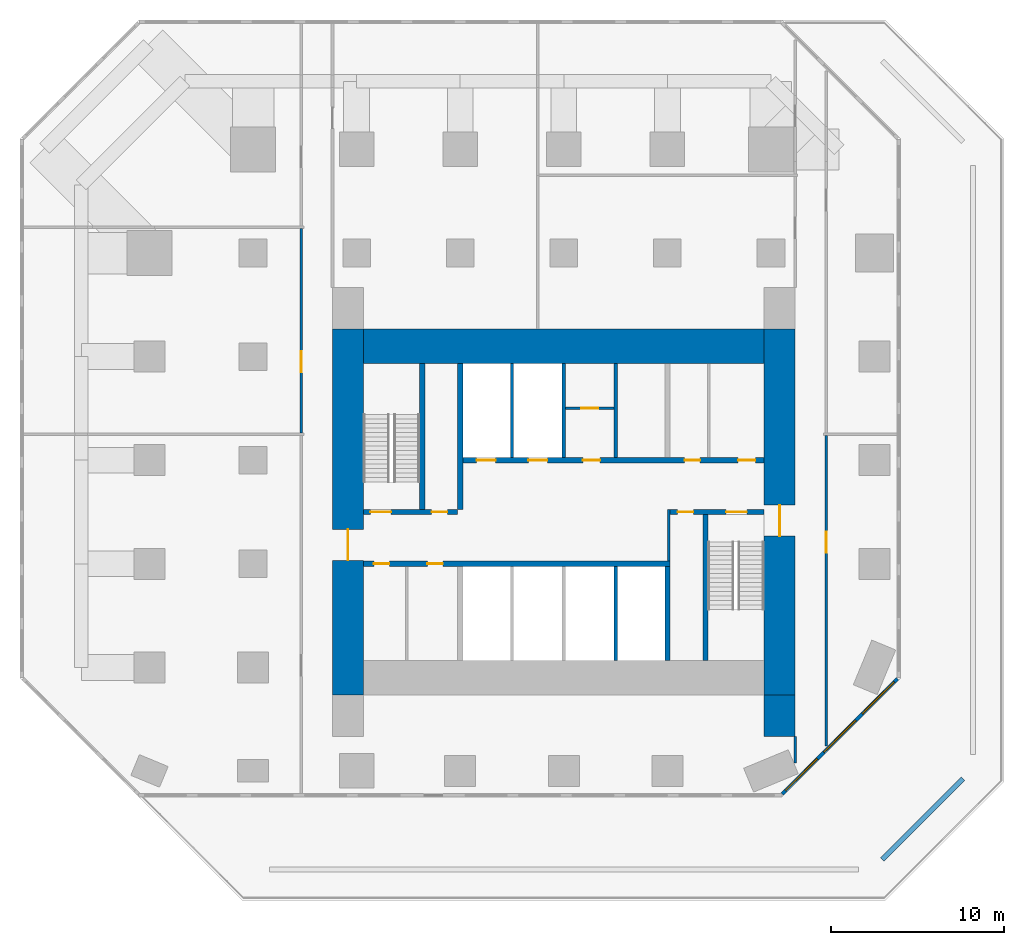
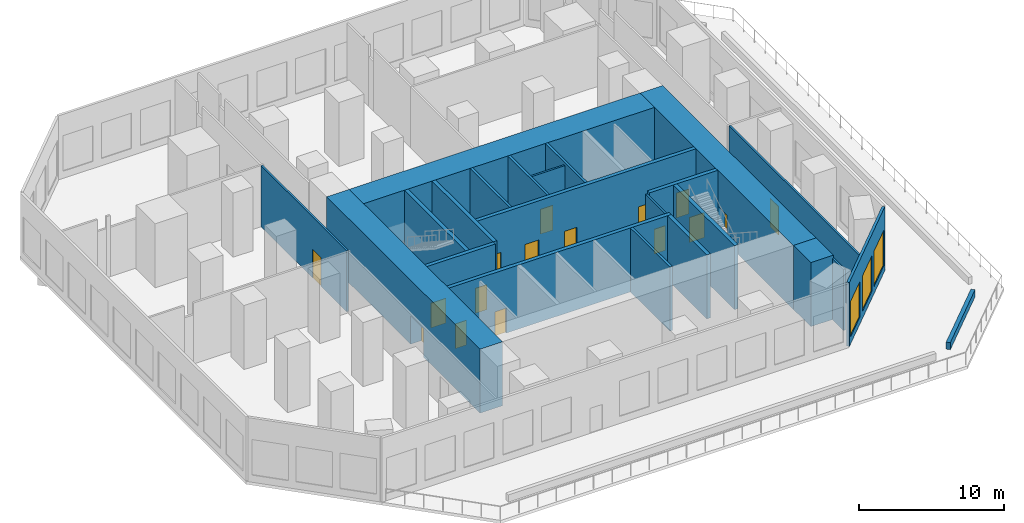
# One storey, part 3 of 7: 23 walls, 16 doors, 3 windows, 19 openings.
"""IFC4 building model written with IfcOpenShell, lengths in metres."""

from ifc_helpers import new_model, si_unit, direction, frame, frame_2d, origin, place, context, subcontext, project, spatial, rectangle, extrude, material, layer, layer_set, type_object, element, fill, save


model = new_model("IFC4")

# Units and contexts
model_context = context("Model", 3, precision=1e-05, world=origin(), true_north=direction((0.0, 1.0)))
body_context = subcontext(model_context, "Body", "Model", "MODEL_VIEW")
ifc_project = project(units=[si_unit("LENGTHUNIT", "METRE"), si_unit("AREAUNIT", "SQUARE_METRE"), si_unit("VOLUMEUNIT", "CUBIC_METRE"), si_unit("PLANEANGLEUNIT", "RADIAN"), si_unit("MASSUNIT", "GRAM", prefix="KILO")], contexts=[model_context])

# Site, building, storey
site_placement = place(None, origin())
site = spatial("IfcSite", under=ifc_project, at=site_placement, CompositionType="ELEMENT")
building_placement = place(site_placement, origin())
building = spatial("IfcBuilding", under=site, at=building_placement, Name="Highveld Stack Headquarters", CompositionType="ELEMENT")
storey_placement = place(building_placement, frame((0.0, 0.0, 88.39990234375)))
storey = spatial("IfcBuildingStorey", under=building, at=storey_placement, Name="L21", CompositionType="ELEMENT", Elevation=88.39990234375)

# Wall, opening, door
ifc_material_1 = material(Name="Concrete C60/75", Category="concrete")
ifc_layer_1 = layer(ifc_material_1, 1.800048828125)
ifc_layer_set_1 = layer_set([ifc_layer_1], Name="Concrete C60/75")
wall_type_1 = type_object("IfcWallType", Name="CORE WALL 1800 C60/75", PredefinedType="SHEAR", material=ifc_layer_set_1)
wall_1_placement = place(storey_placement, frame((-6.5, -7.60009765625, 0.0), z_axis=(0.0, 0.0, 1.0), x_axis=(0.0, 1.0, 0.0)))
wall_1 = element("IfcWall", 1, at=wall_1_placement, inside=storey, type_object=wall_type_1, Name="Core wall W L21", PredefinedType="SHEAR", context=body_context, shape_type="SweptSolid", body=[
    extrude(rectangle(XDim=21.2001953125, YDim=1.800048828125, at=frame_2d((10.60009765625, 0.0))), origin(), (0.0, 0.0, 1.0), 5.400146484375),
])
opening_1_placement = place(wall_1_placement, frame((7.800048828125, 0.0, 0.0)))
opening_1 = element("IfcOpeningElement", 2, at=opening_1_placement, cuts=wall_1, Name="Opening L21-02", PredefinedType="OPENING", context=body_context, shape_type="SweptSolid", body=[
    extrude(rectangle(XDim=1.800048828125, YDim=2.39990234375, at=frame_2d((0.89990234375, 1.199951171875))), frame((0.0, 0.909912109375, 0.0), z_axis=(0.0, -1.0, 0.0), x_axis=(1.0, 0.0, 0.0)), (0.0, 0.0, 1.0), 1.820068359375),
])
ifc_material_2 = material(Name="Steel fire door", Category="steel")
door_type_1 = type_object("IfcDoorType", Name="LOBBY FIRE DOOR D4 1800x2400", OperationType="DOUBLE_DOOR_SINGLE_SWING", PredefinedType="DOOR", material=ifc_material_2)
door_1_placement = place(opening_1_placement, origin())
door_1 = element("IfcDoor", 3, at=door_1_placement, inside=storey, type_object=door_type_1, Name="Core west door L21", OperationType="DOUBLE_DOOR_SINGLE_SWING", OverallHeight=2.39990234375, OverallWidth=1.800048828125, PredefinedType="DOOR", context=body_context, shape_type="SweptSolid", body=[
    extrude(rectangle(XDim=1.800048828125, YDim=2.39990234375, at=frame_2d((0.89990234375, 1.199951171875))), frame((0.0, 0.02490234375, 0.0), z_axis=(0.0, -1.0, 0.0), x_axis=(1.0, 0.0, 0.0)), (0.0, 0.0, 1.0), 0.050048828125),
])
fill(opening_1, door_1)

wall_2_placement = place(storey_placement, frame((18.5, -7.60009765625, 0.0), z_axis=(0.0, 0.0, 1.0), x_axis=(0.0, 1.0, 0.0)))
wall_2 = element("IfcWall", 4, at=wall_2_placement, inside=storey, type_object=wall_type_1, Name="Core wall E L21", PredefinedType="SHEAR", context=body_context, shape_type="SweptSolid", body=[
    extrude(rectangle(XDim=21.2001953125, YDim=1.800048828125, at=frame_2d((10.60009765625, 0.0))), origin(), (0.0, 0.0, 1.0), 5.400146484375),
])
opening_2_placement = place(wall_2_placement, frame((9.199951171875, 0.0, 0.0)))
opening_2 = element("IfcOpeningElement", 5, at=opening_2_placement, cuts=wall_2, Name="Opening L21-03", PredefinedType="OPENING", context=body_context, shape_type="SweptSolid", body=[
    extrude(rectangle(XDim=1.800048828125, YDim=2.39990234375, at=frame_2d((0.89990234375, 1.199951171875))), frame((0.0, 0.909912109375, 0.0), z_axis=(0.0, -1.0, 0.0), x_axis=(1.0, 0.0, 0.0)), (0.0, 0.0, 1.0), 1.820068359375),
])
door_2_placement = place(opening_2_placement, origin())
door_2 = element("IfcDoor", 6, at=door_2_placement, inside=storey, type_object=door_type_1, Name="Core east door L21", OperationType="DOUBLE_DOOR_SINGLE_SWING", OverallHeight=2.39990234375, OverallWidth=1.800048828125, PredefinedType="DOOR", context=body_context, shape_type="SweptSolid", body=[
    extrude(rectangle(XDim=1.800048828125, YDim=2.39990234375, at=frame_2d((0.89990234375, 1.199951171875))), frame((0.0, 0.02490234375, 0.0), z_axis=(0.0, -1.0, 0.0), x_axis=(1.0, 0.0, 0.0)), (0.0, 0.0, 1.0), 0.050048828125),
])
fill(opening_2, door_2)

# Wall
ifc_material_3 = material(Name="Concrete C60/75", Category="concrete")
ifc_layer_2 = layer(ifc_material_3, 2.0)
ifc_layer_set_2 = layer_set([ifc_layer_2], Name="Concrete C60/75")
wall_type_2 = type_object("IfcWallType", Name="CORE WALL 2000 C60/75", PredefinedType="SHEAR", material=ifc_layer_set_2)
wall_3_placement = place(storey_placement, frame((-5.60009765625, 12.60009765625, 0.0), z_axis=(0.0, 0.0, 1.0), x_axis=(1.0, 0.0, 0.0)))
element("IfcWall", 7, at=wall_3_placement, inside=storey, type_object=wall_type_2, Name="Core wall N L21", PredefinedType="SHEAR", context=body_context, shape_type="SweptSolid", body=[
    extrude(rectangle(XDim=23.2001953125, YDim=2.0, at=frame_2d((11.60009765625, 0.0))), origin(), (0.0, 0.0, 1.0), 5.400146484375),
])

# Wall, openings, doors
ifc_material_4 = material(Name="Concrete C60/75", Category="concrete")
ifc_layer_3 = layer(ifc_material_4, 0.300048828125)
ifc_layer_set_3 = layer_set([ifc_layer_3], Name="Concrete C60/75")
wall_type_3 = type_object("IfcWallType", Name="CORE WALL 300 C60/75", PredefinedType="SHEAR", material=ifc_layer_set_3)
wall_4_placement = place(storey_placement, frame((-5.60009765625, 0.0, 0.0), z_axis=(0.0, 0.0, 1.0), x_axis=(1.0, 0.0, 0.0)))
wall_4 = element("IfcWall", 8, at=wall_4_placement, inside=storey, type_object=wall_type_3, Name="Core wall I-Y0 L21", PredefinedType="SHEAR", context=body_context, shape_type="SweptSolid", body=[
    extrude(rectangle(XDim=17.75, YDim=0.300048828125, at=frame_2d((8.875, 0.0))), origin(), (0.0, 0.0, 1.0), 5.400146484375),
])
opening_3_placement = place(wall_4_placement, frame((0.60009765625, 0.0, 0.0)))
opening_3 = element("IfcOpeningElement", 9, at=opening_3_placement, cuts=wall_4, Name="Opening L21-08", PredefinedType="OPENING", context=body_context, shape_type="SweptSolid", body=[
    extrude(rectangle(XDim=0.89990234375, YDim=2.10009765625, at=frame_2d((0.449951171875, 1.050048828125))), frame((0.0, 0.159912109375, 0.0), z_axis=(0.0, -1.0, 0.0), x_axis=(1.0, 0.0, 0.0)), (0.0, 0.0, 1.0), 0.320068359375),
])
opening_4_placement = place(wall_4_placement, frame((3.699951171875, 0.0, 0.0)))
opening_4 = element("IfcOpeningElement", 10, at=opening_4_placement, cuts=wall_4, Name="Opening L21-09", PredefinedType="OPENING", context=body_context, shape_type="SweptSolid", body=[
    extrude(rectangle(XDim=0.89990234375, YDim=2.10009765625, at=frame_2d((0.449951171875, 1.050048828125))), frame((0.0, 0.159912109375, 0.0), z_axis=(0.0, -1.0, 0.0), x_axis=(1.0, 0.0, 0.0)), (0.0, 0.0, 1.0), 0.320068359375),
])
ifc_material_5 = material(Name="Timber door, painted", Category="wood")
door_type_2 = type_object("IfcDoorType", Name="WC DOOR D1 900x2100", OperationType="SINGLE_SWING_LEFT", PredefinedType="DOOR", material=ifc_material_5)
door_3_placement = place(opening_3_placement, origin())
door_3 = element("IfcDoor", 11, at=door_3_placement, inside=storey, type_object=door_type_2, Name="Female WC door L21", OperationType="SINGLE_SWING_LEFT", OverallHeight=2.10009765625, OverallWidth=0.89990234375, PredefinedType="DOOR", context=body_context, shape_type="SweptSolid", body=[
    extrude(rectangle(XDim=0.89990234375, YDim=2.10009765625, at=frame_2d((0.449951171875, 1.050048828125))), frame((0.0, 0.02490234375, 0.0), z_axis=(0.0, -1.0, 0.0), x_axis=(1.0, 0.0, 0.0)), (0.0, 0.0, 1.0), 0.050048828125),
])
fill(opening_3, door_3)
door_4_placement = place(opening_4_placement, origin())
door_4 = element("IfcDoor", 12, at=door_4_placement, inside=storey, type_object=door_type_2, Name="Shower and changing room door L21", OperationType="SINGLE_SWING_LEFT", OverallHeight=2.10009765625, OverallWidth=0.89990234375, PredefinedType="DOOR", context=body_context, shape_type="SweptSolid", body=[
    extrude(rectangle(XDim=0.89990234375, YDim=2.10009765625, at=frame_2d((0.449951171875, 1.050048828125))), frame((0.0, 0.02490234375, 0.0), z_axis=(0.0, -1.0, 0.0), x_axis=(1.0, 0.0, 0.0)), (0.0, 0.0, 1.0), 0.050048828125),
])
fill(opening_4, door_4)

wall_5_placement = place(storey_placement, frame((-5.60009765625, 3.0, 0.0), z_axis=(0.0, 0.0, 1.0), x_axis=(1.0, 0.0, 0.0)))
wall_5 = element("IfcWall", 13, at=wall_5_placement, inside=storey, type_object=wall_type_3, Name="Core wall I-Y3W L21", PredefinedType="SHEAR", context=body_context, shape_type="SweptSolid", body=[
    extrude(rectangle(XDim=5.4501953125, YDim=0.300048828125, at=frame_2d((2.72509765625, 0.0))), origin(), (0.0, 0.0, 1.0), 5.400146484375),
])
opening_5_placement = place(wall_5_placement, frame((0.39990234375, 0.0, 0.0)))
opening_5 = element("IfcOpeningElement", 14, at=opening_5_placement, cuts=wall_5, Name="Opening L21-04", PredefinedType="OPENING", context=body_context, shape_type="SweptSolid", body=[
    extrude(rectangle(XDim=1.199951171875, YDim=2.10009765625, at=frame_2d((0.60009765625, 1.050048828125))), frame((0.0, 0.159912109375, 0.0), z_axis=(0.0, -1.0, 0.0), x_axis=(1.0, 0.0, 0.0)), (0.0, 0.0, 1.0), 0.320068359375),
])
opening_6_placement = place(wall_5_placement, frame((3.949951171875, 0.0, 0.0)))
opening_6 = element("IfcOpeningElement", 15, at=opening_6_placement, cuts=wall_5, Name="Opening L21-05", PredefinedType="OPENING", context=body_context, shape_type="SweptSolid", body=[
    extrude(rectangle(XDim=0.89990234375, YDim=2.10009765625, at=frame_2d((0.449951171875, 1.050048828125))), frame((0.0, 0.159912109375, 0.0), z_axis=(0.0, -1.0, 0.0), x_axis=(1.0, 0.0, 0.0)), (0.0, 0.0, 1.0), 0.320068359375),
])
ifc_material_6 = material(Name="Steel fire door", Category="steel")
door_type_3 = type_object("IfcDoorType", Name="RISER ACCESS DOOR D5 900x2100", OperationType="SINGLE_SWING_LEFT", PredefinedType="DOOR", material=ifc_material_6)
door_5_placement = place(opening_6_placement, origin())
door_5 = element("IfcDoor", 16, at=door_5_placement, inside=storey, type_object=door_type_3, Name="Riser R1 door L21", OperationType="SINGLE_SWING_RIGHT", OverallHeight=2.10009765625, OverallWidth=0.89990234375, PredefinedType="DOOR", context=body_context, shape_type="SweptSolid", body=[
    extrude(rectangle(XDim=0.89990234375, YDim=2.10009765625, at=frame_2d((0.449951171875, 1.050048828125))), frame((0.0, 0.02490234375, 0.0), z_axis=(0.0, -1.0, 0.0), x_axis=(1.0, 0.0, 0.0)), (0.0, 0.0, 1.0), 0.050048828125),
])
fill(opening_6, door_5)
ifc_material_7 = material(Name="Steel fire door", Category="steel")
door_type_4 = type_object("IfcDoorType", Name="STAIR FIRE DOOR D3 1200x2100", OperationType="SINGLE_SWING_LEFT", PredefinedType="DOOR", material=ifc_material_7)
door_6_placement = place(opening_5_placement, origin())
door_6 = element("IfcDoor", 17, at=door_6_placement, inside=storey, type_object=door_type_4, Name="Stair S1 door L21", OperationType="SINGLE_SWING_LEFT", OverallHeight=2.10009765625, OverallWidth=1.199951171875, PredefinedType="DOOR", context=body_context, shape_type="SweptSolid", body=[
    extrude(rectangle(XDim=1.199951171875, YDim=2.10009765625, at=frame_2d((0.60009765625, 1.050048828125))), frame((0.0, 0.02490234375, 0.0), z_axis=(0.0, -1.0, 0.0), x_axis=(1.0, 0.0, 0.0)), (0.0, 0.0, 1.0), 0.050048828125),
])
fill(opening_5, door_6)

wall_6_placement = place(storey_placement, frame((12.14990234375, 3.0, 0.0), z_axis=(0.0, 0.0, 1.0), x_axis=(1.0, 0.0, 0.0)))
wall_6 = element("IfcWall", 18, at=wall_6_placement, inside=storey, type_object=wall_type_3, Name="Core wall I-Y3E L21", PredefinedType="SHEAR", context=body_context, shape_type="SweptSolid", body=[
    extrude(rectangle(XDim=5.4501953125, YDim=0.300048828125, at=frame_2d((2.72509765625, 0.0))), origin(), (0.0, 0.0, 1.0), 5.400146484375),
])
opening_7_placement = place(wall_6_placement, frame((3.25, 0.0, 0.0)))
opening_7 = element("IfcOpeningElement", 19, at=opening_7_placement, cuts=wall_6, Name="Opening L21-06", PredefinedType="OPENING", context=body_context, shape_type="SweptSolid", body=[
    extrude(rectangle(XDim=1.199951171875, YDim=2.10009765625, at=frame_2d((0.60009765625, 1.050048828125))), frame((0.0, 0.159912109375, 0.0), z_axis=(0.0, -1.0, 0.0), x_axis=(1.0, 0.0, 0.0)), (0.0, 0.0, 1.0), 0.320068359375),
])
opening_8_placement = place(wall_6_placement, frame((0.449951171875, 0.0, 0.0)))
opening_8 = element("IfcOpeningElement", 20, at=opening_8_placement, cuts=wall_6, Name="Opening L21-07", PredefinedType="OPENING", context=body_context, shape_type="SweptSolid", body=[
    extrude(rectangle(XDim=0.89990234375, YDim=2.10009765625, at=frame_2d((0.449951171875, 1.050048828125))), frame((0.0, 0.159912109375, 0.0), z_axis=(0.0, -1.0, 0.0), x_axis=(1.0, 0.0, 0.0)), (0.0, 0.0, 1.0), 0.320068359375),
])
door_7_placement = place(opening_8_placement, origin())
door_7 = element("IfcDoor", 21, at=door_7_placement, inside=storey, type_object=door_type_3, Name="Riser R2 door L21", OperationType="SINGLE_SWING_LEFT", OverallHeight=2.10009765625, OverallWidth=0.89990234375, PredefinedType="DOOR", context=body_context, shape_type="SweptSolid", body=[
    extrude(rectangle(XDim=0.89990234375, YDim=2.10009765625, at=frame_2d((0.449951171875, 1.050048828125))), frame((0.0, 0.02490234375, 0.0), z_axis=(0.0, -1.0, 0.0), x_axis=(1.0, 0.0, 0.0)), (0.0, 0.0, 1.0), 0.050048828125),
])
fill(opening_8, door_7)
door_8_placement = place(opening_7_placement, origin())
door_8 = element("IfcDoor", 22, at=door_8_placement, inside=storey, type_object=door_type_4, Name="Stair S2 door L21", OperationType="SINGLE_SWING_RIGHT", OverallHeight=2.10009765625, OverallWidth=1.199951171875, PredefinedType="DOOR", context=body_context, shape_type="SweptSolid", body=[
    extrude(rectangle(XDim=1.199951171875, YDim=2.10009765625, at=frame_2d((0.60009765625, 1.050048828125))), frame((0.0, 0.02490234375, 0.0), z_axis=(0.0, -1.0, 0.0), x_axis=(1.0, 0.0, 0.0)), (0.0, 0.0, 1.0), 0.050048828125),
])
fill(opening_7, door_8)

wall_7_placement = place(storey_placement, frame((-0.14990234375, 6.0, 0.0), z_axis=(0.0, 0.0, 1.0), x_axis=(1.0, 0.0, 0.0)))
wall_7 = element("IfcWall", 23, at=wall_7_placement, inside=storey, type_object=wall_type_3, Name="Core wall I-Y6 L21", PredefinedType="SHEAR", context=body_context, shape_type="SweptSolid", body=[
    extrude(rectangle(XDim=17.75, YDim=0.300048828125, at=frame_2d((8.875, 0.0))), origin(), (0.0, 0.0, 1.0), 5.400146484375),
])
opening_9_placement = place(wall_7_placement, frame((13.14990234375, 0.0, 0.0)))
opening_9 = element("IfcOpeningElement", 24, at=opening_9_placement, cuts=wall_7, Name="Opening L21-10", PredefinedType="OPENING", context=body_context, shape_type="SweptSolid", body=[
    extrude(rectangle(XDim=0.89990234375, YDim=2.10009765625, at=frame_2d((0.449951171875, 1.050048828125))), frame((0.0, 0.159912109375, 0.0), z_axis=(0.0, -1.0, 0.0), x_axis=(1.0, 0.0, 0.0)), (0.0, 0.0, 1.0), 0.320068359375),
])
opening_10_placement = place(wall_7_placement, frame((16.25, 0.0, 0.0)))
opening_10 = element("IfcOpeningElement", 25, at=opening_10_placement, cuts=wall_7, Name="Opening L21-11", PredefinedType="OPENING", context=body_context, shape_type="SweptSolid", body=[
    extrude(rectangle(XDim=1.0, YDim=2.10009765625, at=frame_2d((0.5, 1.050048828125))), frame((0.0, 0.159912109375, 0.0), z_axis=(0.0, -1.0, 0.0), x_axis=(1.0, 0.0, 0.0)), (0.0, 0.0, 1.0), 0.320068359375),
])
opening_11_placement = place(wall_7_placement, frame((7.25, 0.0, 0.0)))
opening_11 = element("IfcOpeningElement", 26, at=opening_11_placement, cuts=wall_7, Name="Opening L21-13", PredefinedType="OPENING", context=body_context, shape_type="SweptSolid", body=[
    extrude(rectangle(XDim=1.0, YDim=2.10009765625, at=frame_2d((0.5, 1.050048828125))), frame((0.0, 0.159912109375, 0.0), z_axis=(0.0, -1.0, 0.0), x_axis=(1.0, 0.0, 0.0)), (0.0, 0.0, 1.0), 0.320068359375),
])
opening_12_placement = place(wall_7_placement, frame((1.10009765625, 0.0, 0.0)))
opening_12 = element("IfcOpeningElement", 27, at=opening_12_placement, cuts=wall_7, Name="Opening LD", PredefinedType="OPENING", context=body_context, shape_type="SweptSolid", body=[
    extrude(rectangle(XDim=1.10009765625, YDim=2.10009765625, at=frame_2d((0.550048828125, 1.050048828125))), frame((0.0, 0.159912109375, 0.0), z_axis=(0.0, -1.0, 0.0), x_axis=(1.0, 0.0, 0.0)), (0.0, 0.0, 1.0), 0.320068359375),
])
opening_13_placement = place(wall_7_placement, frame((4.10009765625, 0.0, 0.0)))
opening_13 = element("IfcOpeningElement", 28, at=opening_13_placement, cuts=wall_7, Name="Opening LD", PredefinedType="OPENING", context=body_context, shape_type="SweptSolid", body=[
    extrude(rectangle(XDim=1.10009765625, YDim=2.10009765625, at=frame_2d((0.550048828125, 1.050048828125))), frame((0.0, 0.159912109375, 0.0), z_axis=(0.0, -1.0, 0.0), x_axis=(1.0, 0.0, 0.0)), (0.0, 0.0, 1.0), 0.320068359375),
])
ifc_material_8 = material(Name="Timber door, painted", Category="wood")
door_type_5 = type_object("IfcDoorType", Name="ACCESSIBLE WC DOOR D2 1000x2100", OperationType="SINGLE_SWING_RIGHT", PredefinedType="DOOR", material=ifc_material_8)
door_9_placement = place(opening_10_placement, origin())
door_9 = element("IfcDoor", 29, at=door_9_placement, inside=storey, type_object=door_type_5, Name="Accessible WC door L21", OperationType="SINGLE_SWING_RIGHT", OverallHeight=2.10009765625, OverallWidth=1.0, PredefinedType="DOOR", context=body_context, shape_type="SweptSolid", body=[
    extrude(rectangle(XDim=1.0, YDim=2.10009765625, at=frame_2d((0.5, 1.050048828125))), frame((0.0, 0.02490234375, 0.0), z_axis=(0.0, -1.0, 0.0), x_axis=(1.0, 0.0, 0.0)), (0.0, 0.0, 1.0), 0.050048828125),
])
fill(opening_10, door_9)
ifc_material_9 = material(Name="Steel fire door", Category="steel")
door_type_6 = type_object("IfcDoorType", Name="CORE ROOM FIRE DOOR D14 1000x2100", OperationType="SINGLE_SWING_LEFT", PredefinedType="DOOR", material=ifc_material_9)
door_10_placement = place(opening_11_placement, origin())
door_10 = element("IfcDoor", 30, at=door_10_placement, inside=storey, type_object=door_type_6, Name="Capped A 1 door L21", OperationType="SINGLE_SWING_LEFT", OverallHeight=2.10009765625, OverallWidth=1.0, PredefinedType="DOOR", context=body_context, shape_type="SweptSolid", body=[
    extrude(rectangle(XDim=1.0, YDim=2.10009765625, at=frame_2d((0.5, 1.050048828125))), frame((0.0, 0.02490234375, 0.0), z_axis=(0.0, -1.0, 0.0), x_axis=(1.0, 0.0, 0.0)), (0.0, 0.0, 1.0), 0.050048828125),
])
fill(opening_11, door_10)
ifc_material_10 = material(Name="Stainless steel lift landing door", Category="steel")
door_type_7 = type_object("IfcDoorType", Name="LIFT LANDING DOOR LD 1100x2100", OperationType="DOUBLE_DOOR_SLIDING", PredefinedType="USERDEFINED", material=ifc_material_10)
door_11_placement = place(opening_12_placement, origin())
door_11 = element("IfcDoor", 31, at=door_11_placement, inside=storey, type_object=door_type_7, Name="Lift landing door FF1 L21", ObjectType="LIFT LANDING DOOR", OperationType="DOUBLE_DOOR_SLIDING", OverallHeight=2.10009765625, OverallWidth=1.10009765625, PredefinedType="USERDEFINED", context=body_context, shape_type="SweptSolid", body=[
    extrude(rectangle(XDim=1.10009765625, YDim=2.10009765625, at=frame_2d((0.550048828125, 1.050048828125))), frame((0.0, 0.02490234375, 0.0), z_axis=(0.0, -1.0, 0.0), x_axis=(1.0, 0.0, 0.0)), (0.0, 0.0, 1.0), 0.050048828125),
])
fill(opening_12, door_11)
door_12_placement = place(opening_13_placement, origin())
door_12 = element("IfcDoor", 32, at=door_12_placement, inside=storey, type_object=door_type_7, Name="Lift landing door FF2 L21", ObjectType="LIFT LANDING DOOR", OperationType="DOUBLE_DOOR_SLIDING", OverallHeight=2.10009765625, OverallWidth=1.10009765625, PredefinedType="USERDEFINED", context=body_context, shape_type="SweptSolid", body=[
    extrude(rectangle(XDim=1.10009765625, YDim=2.10009765625, at=frame_2d((0.550048828125, 1.050048828125))), frame((0.0, 0.02490234375, 0.0), z_axis=(0.0, -1.0, 0.0), x_axis=(1.0, 0.0, 0.0)), (0.0, 0.0, 1.0), 0.050048828125),
])
fill(opening_13, door_12)
door_13_placement = place(opening_9_placement, origin())
door_13 = element("IfcDoor", 33, at=door_13_placement, inside=storey, type_object=door_type_2, Name="Male WC door L21", OperationType="SINGLE_SWING_RIGHT", OverallHeight=2.10009765625, OverallWidth=0.89990234375, PredefinedType="DOOR", context=body_context, shape_type="SweptSolid", body=[
    extrude(rectangle(XDim=0.89990234375, YDim=2.10009765625, at=frame_2d((0.449951171875, 1.050048828125))), frame((0.0, 0.02490234375, 0.0), z_axis=(0.0, -1.0, 0.0), x_axis=(1.0, 0.0, 0.0)), (0.0, 0.0, 1.0), 0.050048828125),
])
fill(opening_9, door_13)

# Walls
wall_8_placement = place(storey_placement, frame((0.0, 3.14990234375, 0.0), z_axis=(0.0, 0.0, 1.0), x_axis=(0.0, 1.0, 0.0)))
element("IfcWall", 34, at=wall_8_placement, inside=storey, type_object=wall_type_3, Name="Core wall I-X0N L21", PredefinedType="SHEAR", context=body_context, shape_type="SweptSolid", body=[
    extrude(rectangle(XDim=8.4501953125, YDim=0.300048828125, at=frame_2d((4.22509765625, 0.0))), origin(), (0.0, 0.0, 1.0), 5.400146484375),
])
wall_9_placement = place(storey_placement, frame((12.0, -5.60009765625, 0.0), z_axis=(0.0, 0.0, 1.0), x_axis=(0.0, 1.0, 0.0)))
element("IfcWall", 35, at=wall_9_placement, inside=storey, type_object=wall_type_3, Name="Core wall I-X12S L21", PredefinedType="SHEAR", context=body_context, shape_type="SweptSolid", body=[
    extrude(rectangle(XDim=5.4501953125, YDim=0.300048828125, at=frame_2d((2.72509765625, 0.0))), origin(), (0.0, 0.0, 1.0), 5.400146484375),
])
for number, where, z_axis, x_axis, name in (
    (36, (-2.199951171875, 3.14990234375, 0.0), (0.0, 0.0, 1.0), (0.0, 1.0, 0.0), "Core wall I-RW L21"),
    (37, (14.199951171875, -5.60009765625, 0.0), (0.0, 0.0, 1.0), (0.0, 1.0, 0.0), "Core wall I-RE L21"),
):
    element("IfcWall", number, at=place(storey_placement, frame(where, z_axis=z_axis, x_axis=x_axis)), inside=storey, type_object=wall_type_3, Name=name, PredefinedType="SHEAR", context=body_context, shape_type="SweptSolid", body=[
        extrude(rectangle(XDim=8.4501953125, YDim=0.300048828125, at=frame_2d((4.22509765625, 0.0))), origin(), (0.0, 0.0, 1.0), 5.400146484375),
    ])
ifc_material_11 = material(Name="Concrete C60/75", Category="concrete")
ifc_layer_4 = layer(ifc_material_11, 1.800048828125)
ifc_layer_set_4 = layer_set([ifc_layer_4], Name="Concrete C60/75")
wall_type_4 = type_object("IfcWallType", Name="CORE WING WALL 1800 C60/75", PredefinedType="SHEAR", material=ifc_layer_set_4)
wall_10_placement = place(storey_placement, frame((18.5, -10.0, 0.0), z_axis=(0.0, 0.0, 1.0), x_axis=(0.0, 1.0, 0.0)))
element("IfcWall", 38, at=wall_10_placement, inside=storey, type_object=wall_type_4, Name="Core wing wall ES L21", PredefinedType="SHEAR", context=body_context, shape_type="SweptSolid", body=[
    extrude(rectangle(XDim=2.39990234375, YDim=1.800048828125, at=frame_2d((1.199951171875, 0.0))), origin(), (0.0, 0.0, 1.0), 5.400146484375),
])

# Wall, opening, door
ifc_material_12 = material(Name="Concrete blockwork, plastered", Category="masonry")
ifc_layer_5 = layer(ifc_material_12, 0.14990234375)
ifc_layer_set_5 = layer_set([ifc_layer_5], Name="Concrete blockwork, plastered")
wall_type_5 = type_object("IfcWallType", Name="FIRE PARTITION 150 BLOCKWORK", PredefinedType="PARTITIONING", material=ifc_layer_set_5)
wall_11_placement = place(storey_placement, frame((6.10009765625, 9.0, 0.0), z_axis=(0.0, 0.0, 1.0), x_axis=(1.0, 0.0, 0.0)))
wall_11 = element("IfcWall", 39, at=wall_11_placement, inside=storey, type_object=wall_type_5, Name="Core room partition L21", PredefinedType="PARTITIONING", context=body_context, shape_type="SweptSolid", body=[
    extrude(rectangle(XDim=2.7998046875, YDim=0.14990234375, at=frame_2d((1.39990234375, 0.0))), origin(), (0.0, 0.0, 1.0), 5.150146484375),
])
opening_14_placement = place(wall_11_placement, frame((0.89990234375, 0.0, 0.0)))
opening_14 = element("IfcOpeningElement", 40, at=opening_14_placement, cuts=wall_11, Name="Opening L21-12", PredefinedType="OPENING", context=body_context, shape_type="SweptSolid", body=[
    extrude(rectangle(XDim=1.0, YDim=2.10009765625, at=frame_2d((0.5, 1.050048828125))), frame((0.0, 0.0849609375, 0.0), z_axis=(0.0, -1.0, 0.0), x_axis=(1.0, 0.0, 0.0)), (0.0, 0.0, 1.0), 0.169921875),
])
door_14_placement = place(opening_14_placement, origin())
door_14 = element("IfcDoor", 41, at=door_14_placement, inside=storey, type_object=door_type_6, Name="Capped A 2 door L21", OperationType="SINGLE_SWING_RIGHT", OverallHeight=2.10009765625, OverallWidth=1.0, PredefinedType="DOOR", context=body_context, shape_type="SweptSolid", body=[
    extrude(rectangle(XDim=1.0, YDim=2.10009765625, at=frame_2d((0.5, 1.050048828125))), frame((0.0, 0.02490234375, 0.0), z_axis=(0.0, -1.0, 0.0), x_axis=(1.0, 0.0, 0.0)), (0.0, 0.0, 1.0), 0.050048828125),
])
fill(opening_14, door_14)

wall_12_placement = place(storey_placement, frame((-9.199951171875, 7.574951171875, 0.0), z_axis=(0.0, 0.0, 1.0), x_axis=(0.0, 1.0, 0.0)))
wall_12 = element("IfcWall", 42, at=wall_12_placement, inside=storey, type_object=wall_type_5, Name="Partition office neighbourhood L21", PredefinedType="PARTITIONING", context=body_context, shape_type="SweptSolid", body=[
    extrude(rectangle(XDim=11.85009765625, YDim=0.14990234375, at=frame_2d((5.925048828125, 0.0))), origin(), (0.0, 0.0, 1.0), 5.150146484375),
])
opening_15_placement = place(wall_12_placement, frame((3.52490234375, 0.0, 0.0)))
opening_15 = element("IfcOpeningElement", 43, at=opening_15_placement, cuts=wall_12, Name="Opening L21-16", PredefinedType="OPENING", context=body_context, shape_type="SweptSolid", body=[
    extrude(rectangle(XDim=1.199951171875, YDim=2.39990234375, at=frame_2d((0.60009765625, 1.199951171875))), frame((0.0, 0.0849609375, 0.0), z_axis=(0.0, -1.0, 0.0), x_axis=(1.0, 0.0, 0.0)), (0.0, 0.0, 1.0), 0.169921875),
])
ifc_material_13 = material(Name="Steel fire door", Category="steel")
door_type_8 = type_object("IfcDoorType", Name="PLANT FIRE DOOR D7 1200x2400", OperationType="SINGLE_SWING_LEFT", PredefinedType="DOOR", material=ifc_material_13)
door_15_placement = place(opening_15_placement, origin())
door_15 = element("IfcDoor", 44, at=door_15_placement, inside=storey, type_object=door_type_8, Name="Plant room door L21", OperationType="SINGLE_SWING_LEFT", OverallHeight=2.39990234375, OverallWidth=1.199951171875, PredefinedType="DOOR", context=body_context, shape_type="SweptSolid", body=[
    extrude(rectangle(XDim=1.199951171875, YDim=2.39990234375, at=frame_2d((0.60009765625, 1.199951171875))), frame((0.0, 0.02490234375, 0.0), z_axis=(0.0, -1.0, 0.0), x_axis=(1.0, 0.0, 0.0)), (0.0, 0.0, 1.0), 0.050048828125),
])
fill(opening_15, door_15)

# Wall
wall_13_placement = place(storey_placement, frame((19.39990234375, -11.54052734375, 0.0), z_axis=(0.0, 0.0, 1.0), x_axis=(0.0, 1.0, 0.0)))
element("IfcWall", 45, at=wall_13_placement, inside=storey, type_object=wall_type_5, Name="Partition office neighbourhood L21", PredefinedType="PARTITIONING", context=body_context, shape_type="SweptSolid", body=[
    extrude(rectangle(XDim=1.54052734375, YDim=0.14990234375, at=frame_2d((0.770263671875, 0.0))), origin(), (0.0, 0.0, 1.0), 5.150146484375),
])

# Wall, opening, door
wall_14_placement = place(storey_placement, frame((21.199951171875, -10.555908203125, 0.0), z_axis=(0.0, 0.0, 1.0), x_axis=(0.0, 1.0, 0.0)))
wall_14 = element("IfcWall", 46, at=wall_14_placement, inside=storey, type_object=wall_type_5, Name="Partition office neighbourhood L21", PredefinedType="PARTITIONING", context=body_context, shape_type="SweptSolid", body=[
    extrude(rectangle(XDim=17.98095703125, YDim=0.14990234375, at=frame_2d((8.990478515625, 0.0))), origin(), (0.0, 0.0, 1.0), 5.150146484375),
])
opening_16_placement = place(wall_14_placement, frame((11.2060546875, 0.0, 0.0)))
opening_16 = element("IfcOpeningElement", 47, at=opening_16_placement, cuts=wall_14, Name="Opening L21-15", PredefinedType="OPENING", context=body_context, shape_type="SweptSolid", body=[
    extrude(rectangle(XDim=1.199951171875, YDim=2.39990234375, at=frame_2d((0.60009765625, 1.199951171875))), frame((0.0, 0.0849609375, 0.0), z_axis=(0.0, -1.0, 0.0), x_axis=(1.0, 0.0, 0.0)), (0.0, 0.0, 1.0), 0.169921875),
])
door_16_placement = place(opening_16_placement, origin())
door_16 = element("IfcDoor", 48, at=door_16_placement, inside=storey, type_object=door_type_8, Name="Plant room door L21", OperationType="SINGLE_SWING_RIGHT", OverallHeight=2.39990234375, OverallWidth=1.199951171875, PredefinedType="DOOR", context=body_context, shape_type="SweptSolid", body=[
    extrude(rectangle(XDim=1.199951171875, YDim=2.39990234375, at=frame_2d((0.60009765625, 1.199951171875))), frame((0.0, 0.02490234375, 0.0), z_axis=(0.0, -1.0, 0.0), x_axis=(1.0, 0.0, 0.0)), (0.0, 0.0, 1.0), 0.050048828125),
])
fill(opening_16, door_16)

# Walls
wall_15_placement = place(storey_placement, frame((12.074951171875, 0.14990234375, 0.0), z_axis=(0.0, 0.0, 1.0), x_axis=(0.0, 1.0, 0.0)))
element("IfcWall", 49, at=wall_15_placement, inside=storey, type_object=wall_type_5, Name="Riser R2 enclosure L21", PredefinedType="PARTITIONING", context=body_context, shape_type="SweptSolid", body=[
    extrude(rectangle(XDim=3.0, YDim=0.14990234375, at=frame_2d((1.5, 0.0))), origin(), (0.0, 0.0, 1.0), 5.150146484375),
])
ifc_material_14 = material(Name="Concrete blockwork, fair-faced", Category="masonry")
ifc_layer_6 = layer(ifc_material_14, 0.199951171875)
ifc_layer_set_6 = layer_set([ifc_layer_6], Name="Concrete blockwork, fair-faced")
wall_type_6 = type_object("IfcWallType", Name="LIFT SHAFT ENCLOSURE WALL 200 BLOCKWORK", PredefinedType="SOLIDWALL", material=ifc_layer_set_6)
for number, where, z_axis, x_axis, name in (
    (50, (3.0, 6.14990234375, 0.0), (0.0, 0.0, 1.0), (0.0, 1.0, 0.0), "Lift shaft wall L21"),
    (51, (6.0, 6.14990234375, 0.0), (0.0, 0.0, 1.0), (0.0, 1.0, 0.0), "Lift shaft wall L21"),
    (52, (9.0, 6.14990234375, 0.0), (0.0, 0.0, 1.0), (0.0, 1.0, 0.0), "Lift shaft wall L21"),
    (53, (9.0, -5.60009765625, 0.0), (0.0, 0.0, 1.0), (0.0, 1.0, 0.0), "Lift shaft wall L21"),
):
    element("IfcWall", number, at=place(storey_placement, frame(where, z_axis=z_axis, x_axis=x_axis)), inside=storey, type_object=wall_type_6, Name=name, PredefinedType="SOLIDWALL", context=body_context, shape_type="SweptSolid", body=[
        extrude(rectangle(XDim=5.4501953125, YDim=0.199951171875, at=frame_2d((2.72509765625, 0.0))), origin(), (0.0, 0.0, 1.0), 5.400146484375),
    ])
ifc_material_15 = material(Name="Concrete C40/50, precast planter", Category="concrete")
ifc_layer_7 = layer(ifc_material_15, 0.300048828125)
ifc_layer_set_7 = layer_set([ifc_layer_7], Name="Concrete C40/50, precast planter")
wall_type_7 = type_object("IfcWallType", Name="PLANTER WALL PL1 300", PredefinedType="USERDEFINED", material=ifc_layer_set_7)
wall_16_placement = place(storey_placement, frame((29.12255859375, -12.453125, 0.0), z_axis=(0.0, 0.0, 1.0), x_axis=(-0.707106781187, -0.707106781187, 0.0)))
element("IfcWall", 54, at=wall_16_placement, inside=storey, type_object=wall_type_7, Name="Planter L21 1.4", ObjectType="PLANTER", PredefinedType="USERDEFINED", context=body_context, shape_type="SweptSolid", body=[
    extrude(rectangle(XDim=6.603515625, YDim=0.300048828125, at=frame_2d((3.3017578125, 0.0))), origin(), (0.0, 0.0, 1.0), 0.60009765625),
])

# Wall, openings, windows
ifc_material_16 = material(Name="Concrete C40/50, precast cladding", Category="concrete")
ifc_layer_8 = layer(ifc_material_16, 0.199951171875)
ifc_layer_set_8 = layer_set([ifc_layer_8], Name="Concrete C40/50, precast cladding")
wall_type_8 = type_object("IfcWallType", Name="PRECAST LOUVRE WALL 200", PredefinedType="USERDEFINED", material=ifc_layer_set_8)
wall_17_placement = place(storey_placement, frame((18.650634765625, -13.329345703125, 0.0), z_axis=(0.0, 0.0, 1.0), x_axis=(0.707106781187, 0.707106781187, 0.0)))
wall_17 = element("IfcWall", 55, at=wall_17_placement, inside=storey, type_object=wall_type_8, Name="Precast louvre wall L21 SE", ObjectType="PRECAST CLADDING", PredefinedType="USERDEFINED", context=body_context, shape_type="SweptSolid", body=[
    extrude(rectangle(XDim=9.445068359375, YDim=0.199951171875, at=frame_2d((4.72265625, 0.0))), origin(), (0.0, 0.0, 1.0), 5.400146484375),
])
opening_17_placement = place(wall_17_placement, frame((0.274169921875, 0.0, 0.60009765625)))
opening_17 = element("IfcOpeningElement", 56, at=opening_17_placement, cuts=wall_17, Name="Opening L2", PredefinedType="OPENING", context=body_context, shape_type="SweptSolid", body=[
    extrude(rectangle(XDim=2.60009765625, YDim=3.0, at=frame_2d((1.300048828125, 1.5))), frame((0.0, 0.10986328125, 0.0), z_axis=(0.0, -1.0, 0.0), x_axis=(1.0, 0.0, 0.0)), (0.0, 0.0, 1.0), 0.219970703125),
])
opening_18_placement = place(wall_17_placement, frame((3.422607421875, 0.0, 0.60009765625)))
opening_18 = element("IfcOpeningElement", 57, at=opening_18_placement, cuts=wall_17, Name="Opening L2", PredefinedType="OPENING", context=body_context, shape_type="SweptSolid", body=[
    extrude(rectangle(XDim=2.60009765625, YDim=3.0, at=frame_2d((1.300048828125, 1.5))), frame((0.0, 0.10986328125, 0.0), z_axis=(0.0, -1.0, 0.0), x_axis=(1.0, 0.0, 0.0)), (0.0, 0.0, 1.0), 0.219970703125),
])
opening_19_placement = place(wall_17_placement, frame((6.57080078125, 0.0, 0.60009765625)))
opening_19 = element("IfcOpeningElement", 58, at=opening_19_placement, cuts=wall_17, Name="Opening L2", PredefinedType="OPENING", context=body_context, shape_type="SweptSolid", body=[
    extrude(rectangle(XDim=2.60009765625, YDim=3.0, at=frame_2d((1.300048828125, 1.5))), frame((0.0, 0.10986328125, 0.0), z_axis=(0.0, -1.0, 0.0), x_axis=(1.0, 0.0, 0.0)), (0.0, 0.0, 1.0), 0.219970703125),
])
ifc_material_17 = material(Name="Aluminium bronze anodised", Category="aluminium")
window_type = type_object("IfcWindowType", Name="LOUVRE L2 2400x3000 CHAMFER", PartitioningType="SINGLE_PANEL", PredefinedType="USERDEFINED", material=ifc_material_17)
window_1_placement = place(opening_17_placement, origin())
window_1 = element("IfcWindow", 59, at=window_1_placement, inside=storey, type_object=window_type, Name="Louvre L21 SE 1", ObjectType="LOUVRE", OverallHeight=3.0, OverallWidth=2.60009765625, PartitioningType="SINGLE_PANEL", PredefinedType="USERDEFINED", context=body_context, shape_type="SweptSolid", body=[
    extrude(rectangle(XDim=2.60009765625, YDim=3.0, at=frame_2d((1.300048828125, 1.5))), frame((0.0, 0.030029296875, 0.0), z_axis=(0.0, -1.0, 0.0), x_axis=(1.0, 0.0, 0.0)), (0.0, 0.0, 1.0), 0.06005859375),
])
fill(opening_17, window_1)
window_2_placement = place(opening_18_placement, origin())
window_2 = element("IfcWindow", 60, at=window_2_placement, inside=storey, type_object=window_type, Name="Louvre L21 SE 2", ObjectType="LOUVRE", OverallHeight=3.0, OverallWidth=2.60009765625, PartitioningType="SINGLE_PANEL", PredefinedType="USERDEFINED", context=body_context, shape_type="SweptSolid", body=[
    extrude(rectangle(XDim=2.60009765625, YDim=3.0, at=frame_2d((1.300048828125, 1.5))), frame((0.0, 0.030029296875, 0.0), z_axis=(0.0, -1.0, 0.0), x_axis=(1.0, 0.0, 0.0)), (0.0, 0.0, 1.0), 0.06005859375),
])
fill(opening_18, window_2)
window_3_placement = place(opening_19_placement, origin())
window_3 = element("IfcWindow", 61, at=window_3_placement, inside=storey, type_object=window_type, Name="Louvre L21 SE 3", ObjectType="LOUVRE", OverallHeight=3.0, OverallWidth=2.60009765625, PartitioningType="SINGLE_PANEL", PredefinedType="USERDEFINED", context=body_context, shape_type="SweptSolid", body=[
    extrude(rectangle(XDim=2.60009765625, YDim=3.0, at=frame_2d((1.300048828125, 1.5))), frame((0.0, 0.030029296875, 0.0), z_axis=(0.0, -1.0, 0.0), x_axis=(1.0, 0.0, 0.0)), (0.0, 0.0, 1.0), 0.06005859375),
])
fill(opening_19, window_3)

save(model, "model.ifc")
